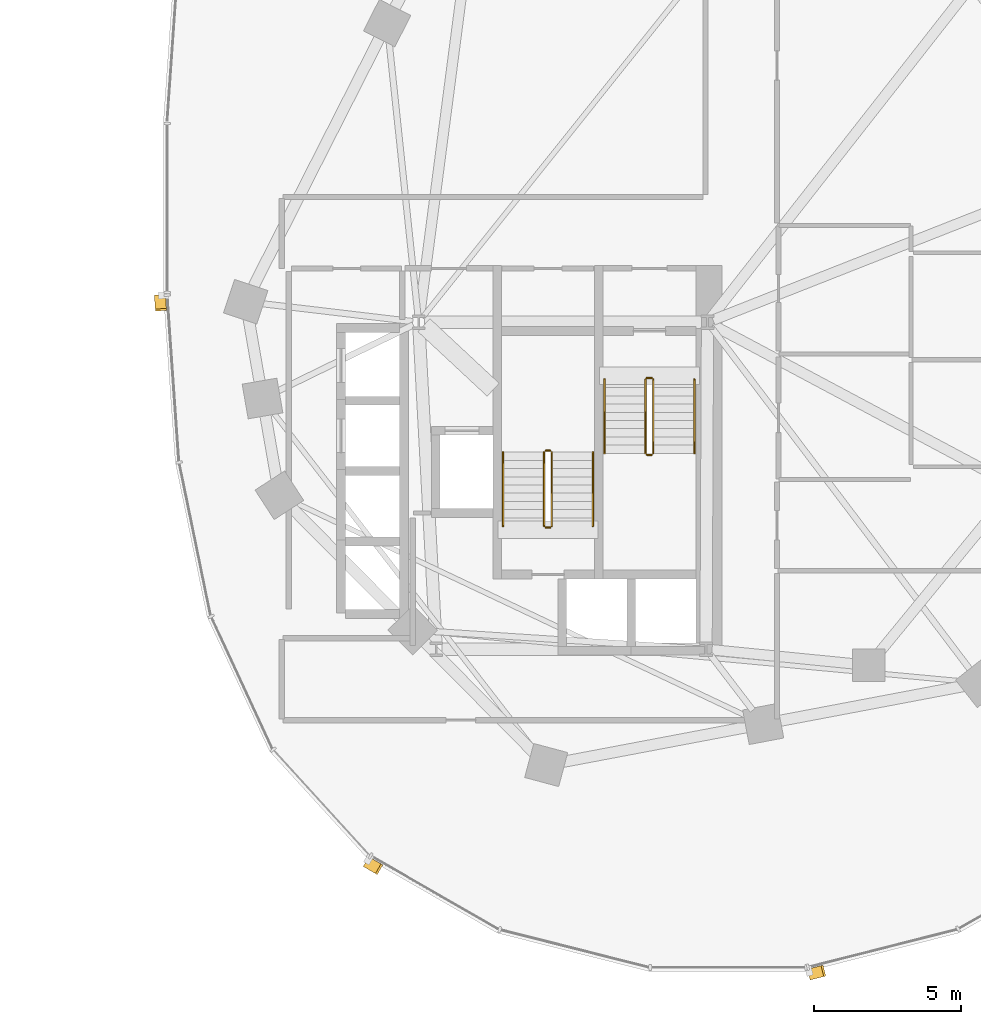
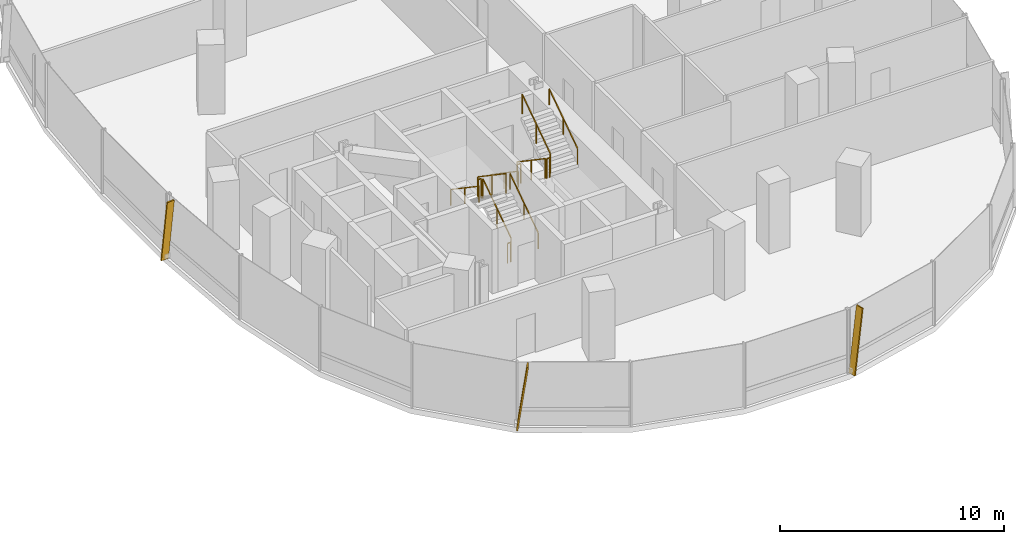
# One storey, part 20 of 21: 12 railings, 3 shading devices.
"""IFC4 building model written with IfcOpenShell, lengths in metres."""

from ifc_helpers import new_model, si_unit, direction, frame, origin, origin_2d, place, context, subcontext, project, spatial, rectangle, extrude, material, material_profile, profile_set, type_object, element, save


model = new_model("IFC4")

# Units and contexts
model_context = context("Model", 3, precision=1e-05, world=origin(), true_north=direction((0.0, 1.0)))
body_context = subcontext(model_context, "Body", "Model", "MODEL_VIEW")
ifc_project = project(units=[si_unit("LENGTHUNIT", "METRE"), si_unit("AREAUNIT", "SQUARE_METRE"), si_unit("VOLUMEUNIT", "CUBIC_METRE"), si_unit("PLANEANGLEUNIT", "RADIAN"), si_unit("MASSUNIT", "GRAM", prefix="KILO"), si_unit("THERMODYNAMICTEMPERATUREUNIT", "KELVIN"), si_unit("POWERUNIT", "WATT")], contexts=[model_context])

# Site, building, storey
site_placement = place(None, origin())
site = spatial("IfcSite", under=ifc_project, at=site_placement, CompositionType="ELEMENT")
building_placement = place(site_placement, origin())
building = spatial("IfcBuilding", under=site, at=building_placement, Name="Cundina Bronze Exchange", CompositionType="ELEMENT")
storey_placement = place(building_placement, frame((0.0, 0.0, 50.60009765625)))
storey = spatial("IfcBuildingStorey", under=building, at=storey_placement, Name="L12", CompositionType="ELEMENT", Elevation=50.60009765625)

# Railings
ifc_material_1 = material(Name="Steel ASTM A36 Painted", Category="steel")
railing_type_1 = type_object("IfcRailingType", Name="RLG-HND-900", PredefinedType="HANDRAIL", material=ifc_material_1)
railing_1_placement = place(storey_placement, frame((27.7900390625, -5.85009765625, 0.18994140625)))
element("IfcRailing", 1, at=railing_1_placement, inside=storey, type_object=railing_type_1, Name="L12 ST-E1 stair handrail 1", PredefinedType="HANDRAIL", context=body_context, shape_type="SweptSolid", body=[
    extrude(rectangle(XDim=0.048095703125, YDim=0.048095703125, at=origin_2d()), frame((0.0, 0.0, 0.8759765625), z_axis=(0.0, -0.827483756001, 0.561489655786), x_axis=(1.0, 0.0, 0.0)), (0.0, 0.0, 1.0), 3.04541015625),
    extrude(rectangle(XDim=0.0419921875, YDim=0.0419921875, at=origin_2d()), origin(), (0.0, 0.0, 1.0), 0.851806640625),
    extrude(rectangle(XDim=0.0419921875, YDim=0.0419921875, at=origin_2d()), frame((0.0, -1.260009765625, 0.85498046875)), (0.0, 0.0, 1.0), 0.851806640625),
    extrude(rectangle(XDim=0.0419921875, YDim=0.0419921875, at=origin_2d()), frame((0.0, -2.52001953125, 1.7099609375)), (0.0, 0.0, 1.0), 0.851806640625),
])
for number, where, name in (
    (2, (30.85009765625, -8.3701171875, 2.08984375), "L12 ST-E1 stair handrail 2"),
    (3, (27.389892578125, -10.85009765625, 0.18994140625), "L12 ST-E2 stair handrail 1"),
):
    element("IfcRailing", number, at=place(storey_placement, frame(where)), inside=storey, type_object=railing_type_1, Name=name, PredefinedType="HANDRAIL", context=body_context, shape_type="SweptSolid", body=[
        extrude(rectangle(XDim=0.048095703125, YDim=0.048095703125, at=origin_2d()), frame((0.0, 0.0, 0.8759765625), z_axis=(0.0, 0.827483756001, 0.561489655786), x_axis=(-1.0, 0.0, 0.0)), (0.0, 0.0, 1.0), 3.04541015625),
        extrude(rectangle(XDim=0.0419921875, YDim=0.0419921875, at=origin_2d()), origin(), (0.0, 0.0, 1.0), 0.851806640625),
        extrude(rectangle(XDim=0.0419921875, YDim=0.0419921875, at=origin_2d()), frame((0.0, 1.260009765625, 0.85498046875)), (0.0, 0.0, 1.0), 0.851806640625),
        extrude(rectangle(XDim=0.0419921875, YDim=0.0419921875, at=origin_2d()), frame((0.0, 2.52001953125, 1.7099609375)), (0.0, 0.0, 1.0), 0.851806640625),
    ])
railing_2_placement = place(storey_placement, frame((24.330078125, -8.330078125, 2.08984375)))
element("IfcRailing", 4, at=railing_2_placement, inside=storey, type_object=railing_type_1, Name="L12 ST-E2 stair handrail 2", PredefinedType="HANDRAIL", context=body_context, shape_type="SweptSolid", body=[
    extrude(rectangle(XDim=0.048095703125, YDim=0.048095703125, at=origin_2d()), frame((0.0, 0.0, 0.8759765625), z_axis=(0.0, -0.827483756001, 0.561489655786), x_axis=(1.0, 0.0, 0.0)), (0.0, 0.0, 1.0), 3.04541015625),
    extrude(rectangle(XDim=0.0419921875, YDim=0.0419921875, at=origin_2d()), origin(), (0.0, 0.0, 1.0), 0.851806640625),
    extrude(rectangle(XDim=0.0419921875, YDim=0.0419921875, at=origin_2d()), frame((0.0, -1.260009765625, 0.85498046875)), (0.0, 0.0, 1.0), 0.851806640625),
    extrude(rectangle(XDim=0.0419921875, YDim=0.0419921875, at=origin_2d()), frame((0.0, -2.52001953125, 1.7099609375)), (0.0, 0.0, 1.0), 0.851806640625),
])
railing_type_2 = type_object("IfcRailingType", Name="RLG-STG-1100", PredefinedType="GUARDRAIL", material=ifc_material_1)
railing_3_placement = place(storey_placement, frame((29.18994140625, -5.85009765625, 0.18994140625)))
element("IfcRailing", 5, at=railing_3_placement, inside=storey, type_object=railing_type_2, Name="L12 ST-E1 stair guard 1", PredefinedType="GUARDRAIL", context=body_context, shape_type="SweptSolid", body=[
    extrude(rectangle(XDim=0.048095703125, YDim=0.048095703125, at=origin_2d()), frame((0.0, 0.0, 1.076171875), z_axis=(0.0, -0.827483756001, 0.561489655786), x_axis=(1.0, 0.0, 0.0)), (0.0, 0.0, 1.0), 3.04541015625),
    extrude(rectangle(XDim=0.0419921875, YDim=0.0419921875, at=origin_2d()), origin(), (0.0, 0.0, 1.0), 1.052001953125),
    extrude(rectangle(XDim=0.0419921875, YDim=0.0419921875, at=origin_2d()), frame((0.0, -1.260009765625, 0.85498046875)), (0.0, 0.0, 1.0), 1.052001953125),
    extrude(rectangle(XDim=0.0419921875, YDim=0.0419921875, at=origin_2d()), frame((0.0, -2.52001953125, 1.7099609375)), (0.0, 0.0, 1.0), 1.052001953125),
])
railing_4_placement = place(storey_placement, frame((29.239990234375, -8.419921875, 1.89990234375)))
element("IfcRailing", 6, at=railing_4_placement, inside=storey, type_object=railing_type_2, Name="L12 ST-E1 stair guard 2", PredefinedType="GUARDRAIL", context=body_context, shape_type="SweptSolid", body=[
    extrude(rectangle(XDim=0.048095703125, YDim=0.048095703125, at=origin_2d()), frame((0.0, 0.0, 1.076171875), z_axis=(1.0, 0.0, 0.0), x_axis=(0.0, 1.0, 0.0)), (0.0, 0.0, 1.0), 0.159912109375),
    extrude(rectangle(XDim=0.0419921875, YDim=0.0419921875, at=origin_2d()), origin(), (0.0, 0.0, 1.0), 1.052001953125),
    extrude(rectangle(XDim=0.0419921875, YDim=0.0419921875, at=origin_2d()), frame((0.159912109375, 0.0, 0.0)), (0.0, 0.0, 1.0), 1.052001953125),
])
railing_5_placement = place(storey_placement, frame((29.449951171875, -8.3701171875, 2.08984375)))
element("IfcRailing", 7, at=railing_5_placement, inside=storey, type_object=railing_type_2, Name="L12 ST-E1 stair guard 3", PredefinedType="GUARDRAIL", context=body_context, shape_type="SweptSolid", body=[
    extrude(rectangle(XDim=0.048095703125, YDim=0.048095703125, at=origin_2d()), frame((0.0, 0.0, 1.076171875), z_axis=(0.0, 0.827483756001, 0.561489655786), x_axis=(-1.0, 0.0, 0.0)), (0.0, 0.0, 1.0), 3.04541015625),
    extrude(rectangle(XDim=0.0419921875, YDim=0.0419921875, at=origin_2d()), origin(), (0.0, 0.0, 1.0), 1.052001953125),
    extrude(rectangle(XDim=0.0419921875, YDim=0.0419921875, at=origin_2d()), frame((0.0, 1.260009765625, 0.85498046875)), (0.0, 0.0, 1.0), 1.052001953125),
    extrude(rectangle(XDim=0.0419921875, YDim=0.0419921875, at=origin_2d()), frame((0.0, 2.52001953125, 1.7099609375)), (0.0, 0.0, 1.0), 1.052001953125),
])
railing_6_placement = place(storey_placement, frame((29.239990234375, -5.800048828125, 0.0)))
element("IfcRailing", 8, at=railing_6_placement, inside=storey, type_object=railing_type_2, Name="L12 ST-E1 stair guard 4", PredefinedType="GUARDRAIL", context=body_context, shape_type="SweptSolid", body=[
    extrude(rectangle(XDim=0.048095703125, YDim=0.048095703125, at=origin_2d()), frame((0.0, 0.0, 1.076171875), z_axis=(1.0, 0.0, 0.0), x_axis=(0.0, 1.0, 0.0)), (0.0, 0.0, 1.0), 0.159912109375),
    extrude(rectangle(XDim=0.0419921875, YDim=0.0419921875, at=origin_2d()), origin(), (0.0, 0.0, 1.0), 1.052001953125),
    extrude(rectangle(XDim=0.0419921875, YDim=0.0419921875, at=origin_2d()), frame((0.159912109375, 0.0, 0.0)), (0.0, 0.0, 1.0), 1.052001953125),
])
railing_7_placement = place(storey_placement, frame((25.989990234375, -10.85009765625, 0.18994140625)))
element("IfcRailing", 9, at=railing_7_placement, inside=storey, type_object=railing_type_2, Name="L12 ST-E2 stair guard 1", PredefinedType="GUARDRAIL", context=body_context, shape_type="SweptSolid", body=[
    extrude(rectangle(XDim=0.048095703125, YDim=0.048095703125, at=origin_2d()), frame((0.0, 0.0, 1.076171875), z_axis=(0.0, 0.827483756001, 0.561489655786), x_axis=(-1.0, 0.0, 0.0)), (0.0, 0.0, 1.0), 3.04541015625),
    extrude(rectangle(XDim=0.0419921875, YDim=0.0419921875, at=origin_2d()), origin(), (0.0, 0.0, 1.0), 1.052001953125),
    extrude(rectangle(XDim=0.0419921875, YDim=0.0419921875, at=origin_2d()), frame((0.0, 1.260009765625, 0.85498046875)), (0.0, 0.0, 1.0), 1.052001953125),
    extrude(rectangle(XDim=0.0419921875, YDim=0.0419921875, at=origin_2d()), frame((0.0, 2.52001953125, 1.7099609375)), (0.0, 0.0, 1.0), 1.052001953125),
])
railing_8_placement = place(storey_placement, frame((25.93994140625, -8.280029296875, 1.89990234375)))
element("IfcRailing", 10, at=railing_8_placement, inside=storey, type_object=railing_type_2, Name="L12 ST-E2 stair guard 2", PredefinedType="GUARDRAIL", context=body_context, shape_type="SweptSolid", body=[
    extrude(rectangle(XDim=0.048095703125, YDim=0.048095703125, at=origin_2d()), frame((0.0, 0.0, 1.076171875), z_axis=(-1.0, 0.0, 0.0), x_axis=(0.0, -1.0, 0.0)), (0.0, 0.0, 1.0), 0.159912109375),
    extrude(rectangle(XDim=0.0419921875, YDim=0.0419921875, at=origin_2d()), origin(), (0.0, 0.0, 1.0), 1.052001953125),
    extrude(rectangle(XDim=0.0419921875, YDim=0.0419921875, at=origin_2d()), frame((-0.159912109375, 0.0, 0.0)), (0.0, 0.0, 1.0), 1.052001953125),
])
railing_9_placement = place(storey_placement, frame((25.72998046875, -8.330078125, 2.08984375)))
element("IfcRailing", 11, at=railing_9_placement, inside=storey, type_object=railing_type_2, Name="L12 ST-E2 stair guard 3", PredefinedType="GUARDRAIL", context=body_context, shape_type="SweptSolid", body=[
    extrude(rectangle(XDim=0.048095703125, YDim=0.048095703125, at=origin_2d()), frame((0.0, 0.0, 1.076171875), z_axis=(0.0, -0.827483756001, 0.561489655786), x_axis=(1.0, 0.0, 0.0)), (0.0, 0.0, 1.0), 3.04541015625),
    extrude(rectangle(XDim=0.0419921875, YDim=0.0419921875, at=origin_2d()), origin(), (0.0, 0.0, 1.0), 1.052001953125),
    extrude(rectangle(XDim=0.0419921875, YDim=0.0419921875, at=origin_2d()), frame((0.0, -1.260009765625, 0.85498046875)), (0.0, 0.0, 1.0), 1.052001953125),
    extrude(rectangle(XDim=0.0419921875, YDim=0.0419921875, at=origin_2d()), frame((0.0, -2.52001953125, 1.7099609375)), (0.0, 0.0, 1.0), 1.052001953125),
])
railing_10_placement = place(storey_placement, frame((25.93994140625, -10.89990234375, 0.0)))
element("IfcRailing", 12, at=railing_10_placement, inside=storey, type_object=railing_type_2, Name="L12 ST-E2 stair guard 4", PredefinedType="GUARDRAIL", context=body_context, shape_type="SweptSolid", body=[
    extrude(rectangle(XDim=0.048095703125, YDim=0.048095703125, at=origin_2d()), frame((0.0, 0.0, 1.076171875), z_axis=(-1.0, 0.0, 0.0), x_axis=(0.0, -1.0, 0.0)), (0.0, 0.0, 1.0), 0.159912109375),
    extrude(rectangle(XDim=0.0419921875, YDim=0.0419921875, at=origin_2d()), origin(), (0.0, 0.0, 1.0), 1.052001953125),
    extrude(rectangle(XDim=0.0419921875, YDim=0.0419921875, at=origin_2d()), frame((-0.159912109375, 0.0, 0.0)), (0.0, 0.0, 1.0), 1.052001953125),
])

# Shading devices
ifc_material_2 = material(Name="Anodised Bronze Aluminium 6063-T6", Category="aluminium")
ifc_material_profile = material_profile(ifc_material_2, rectangle(XDim=0.070068359375, YDim=0.3798828125, at=origin_2d()), Name="FIN70X380", Category="aluminium")
ifc_profile_set = profile_set([ifc_material_profile], Name="Anodised Bronze Aluminium 6063-T6")
shading_device_type = type_object("IfcShadingDeviceType", Name="SHD-FIN-BRZ380", PredefinedType="USERDEFINED", material=ifc_profile_set)
for number, where, z_axis, x_axis, name in (
    (13, (12.6259765625, -2.993896484375, 0.02001953125), (0.009645159174, -0.137059109714, 0.990515911709), (-0.06953288269, 0.988072340253, 0.137398066402), "L12 Diagonal Bronze Solar Fin 1"),
    (14, (19.685791015625, -22.314208984375, 0.02001953125), (0.119166378275, -0.06842456559, 0.990513731915), (-0.85898178632, 0.493221799887, 0.137413779831), "L12 Diagonal Bronze Solar Fin 5"),
    (15, (34.787353515625, -26.138427734375, 0.02001953125), (0.133214830938, 0.033688115694, 0.990514472221), (-0.960284642503, -0.242842181368, 0.137408443412), "L12 Diagonal Bronze Solar Fin 1"),
):
    element("IfcShadingDevice", number, at=place(storey_placement, frame(where, z_axis=z_axis, x_axis=x_axis)), inside=storey, type_object=shading_device_type, Name=name, ObjectType="FIN", PredefinedType="USERDEFINED", context=body_context, shape_type="SweptSolid", body=[
        extrude(rectangle(XDim=0.070068359375, YDim=0.3798828125, at=origin_2d()), origin(), (0.0, 0.0, 1.0), 3.4931640625),
    ])

save(model, "model.ifc")
